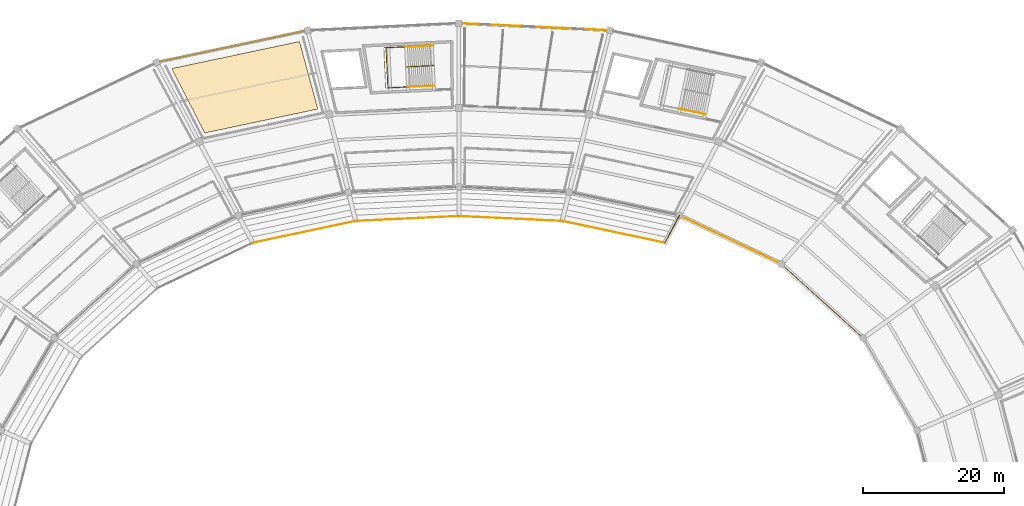
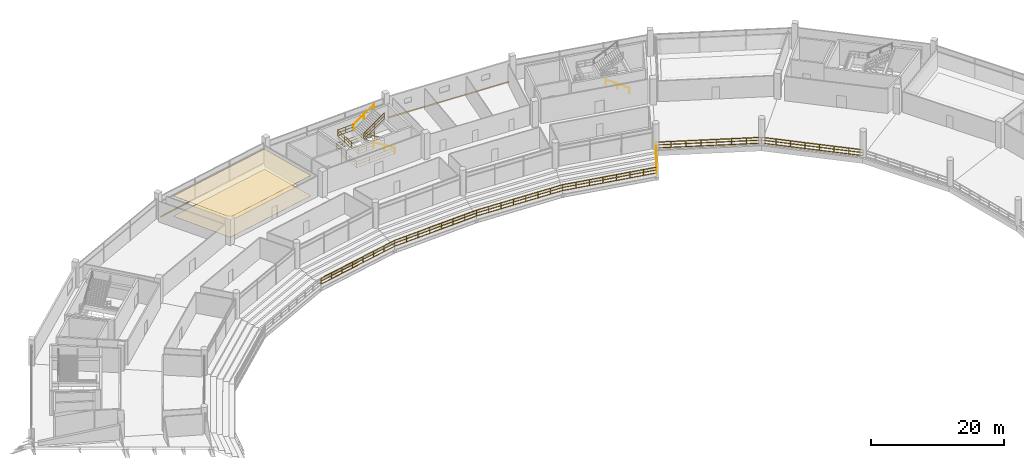
# One storey, part 170 of 171: 13 railings, 4 coverings.
"""IFC4 building model written with IfcOpenShell, lengths in metres."""

from ifc_helpers import new_model, si_unit, direction, frame, origin, origin_2d, place, context, subcontext, project, spatial, polyline, rectangle, outline, extrude, material, layer, layer_set, type_object, element, save


model = new_model("IFC4")

# Units and contexts
model_context = context("Model", 3, precision=1e-05, world=origin(), true_north=direction((0.0, 1.0)))
body_context = subcontext(model_context, "Body", "Model", "MODEL_VIEW")
ifc_project = project(units=[si_unit("LENGTHUNIT", "METRE"), si_unit("AREAUNIT", "SQUARE_METRE"), si_unit("VOLUMEUNIT", "CUBIC_METRE"), si_unit("PLANEANGLEUNIT", "RADIAN"), si_unit("MASSUNIT", "GRAM", prefix="KILO")], contexts=[model_context])

# Site, building, storey
site_placement = place(None, origin())
site = spatial("IfcSite", under=ifc_project, at=site_placement, CompositionType="ELEMENT")
building_placement = place(site_placement, origin())
building = spatial("IfcBuilding", under=site, at=building_placement, Name="Kazemori Nagisa Stadium", CompositionType="ELEMENT")
storey_placement = place(building_placement, frame((0.0, 0.0, 15.639892578125)))
storey = spatial("IfcBuildingStorey", under=building, at=storey_placement, Name="L03", CompositionType="ELEMENT", Elevation=15.639892578125)

# Coverings
ifc_material_1 = material(Name="Mineral-fibre acoustic board", Category="gypsum")
ifc_layer_1 = layer(ifc_material_1, 0.02001953125, Name="Mineral-fibre acoustic board", Category="gypsum")
ifc_layer_set_1 = layer_set([ifc_layer_1], Name="Mineral-fibre acoustic board")
covering_type_1 = type_object("IfcCoveringType", Name="Cov_CEIL", PredefinedType="CEILING", material=ifc_layer_set_1)
covering_1_placement = place(storey_placement, frame((0.0, 0.0, 3.730224609375)))
element("IfcCovering", 1, at=covering_1_placement, inside=storey, type_object=covering_type_1, Name="Acoustic ceiling L03-B09", PredefinedType="CEILING", context=body_context, shape_type="SweptSolid", body=[
    extrude(outline(polyline([(103.01025390625, 175.83251953125), (86.979248046875, 172.44091796875), (82.311279296875, 181.569091796875), (100.419677734375, 185.400146484375), (103.01025390625, 175.83251953125)])), origin(), (0.0, 0.0, 1.0), 0.019775390625),
])
ifc_material_2 = material(Name="Porcelain stoneware tile", Category="masonry")
ifc_layer_2 = layer(ifc_material_2, 0.02490234375, Name="Porcelain stoneware tile", Category="masonry")
ifc_layer_set_2 = layer_set([ifc_layer_2], Name="Porcelain stoneware tile")
covering_type_2 = type_object("IfcCoveringType", Name="Cov_FLOOR", PredefinedType="FLOORING", material=ifc_layer_set_2)
covering_2_placement = place(storey_placement, origin())
element("IfcCovering", 2, at=covering_2_placement, inside=storey, type_object=covering_type_2, Name="Porcelain floor finish L03-B09", PredefinedType="FLOORING", context=body_context, shape_type="SweptSolid", body=[
    extrude(outline(polyline([(103.01025390625, 175.83251953125), (86.979248046875, 172.44091796875), (82.311279296875, 181.569091796875), (100.419677734375, 185.400146484375), (103.01025390625, 175.83251953125)])), origin(), (0.0, 0.0, 1.0), 0.025146484375),
])
ifc_material_3 = material(Name="Anodised aluminium 6063-T5", Category="aluminium")
ifc_layer_3 = layer(ifc_material_3, 0.034912109375, Name="Anodised aluminium 6063-T5", Category="aluminium")
ifc_layer_set_3 = layer_set([ifc_layer_3], Name="Anodised aluminium 6063-T5")
covering_type_3 = type_object("IfcCoveringType", Name="Covering_CLAD", PredefinedType="CLADDING", material=ifc_layer_set_3)
covering_3_placement = place(storey_placement, frame((133.7138671875, 187.493408203125, -0.259765625), z_axis=(0.0, 0.0, 1.0), x_axis=(-0.998884022476, 0.047230388971, 0.0)))
element("IfcCovering", 3, at=covering_3_placement, inside=storey, type_object=covering_type_3, Name="Anodised fascia cladding L03-B07", PredefinedType="CLADDING", context=body_context, shape_type="SweptSolid", body=[
    extrude(rectangle(XDim=20.3515625, YDim=0.0400390625, at=origin_2d()), origin(), (0.0, 0.0, 1.0), 0.260009765625),
])
covering_4_placement = place(storey_placement, frame((90.8837890625, 184.7255859375, -0.259765625), z_axis=(0.0, 0.0, 1.0), x_axis=(-0.978344955407, -0.206981033502, 0.0)))
element("IfcCovering", 4, at=covering_4_placement, inside=storey, type_object=covering_type_3, Name="Anodised fascia cladding L03-B09", PredefinedType="CLADDING", context=body_context, shape_type="SweptSolid", body=[
    extrude(rectangle(XDim=20.750244140625, YDim=0.0400390625, at=origin_2d()), origin(), (0.0, 0.0, 1.0), 0.260009765625),
])

# Railings
ifc_material_4 = material(Name="Laminated safety glass and stainless steel SUS304", Category="steel")
railing_type_1 = type_object("IfcRailingType", Name="Rail_BAL", PredefinedType="BALUSTRADE", material=ifc_material_4)
railing_1_placement = place(storey_placement, frame((180.301513671875, 143.367431640625, 0.0)))
element("IfcRailing", 5, at=railing_1_placement, inside=storey, type_object=railing_type_1, Name="Concourse bowl balustrade L03-B04", PredefinedType="BALUSTRADE", context=body_context, shape_type="SweptSolid", body=[
    extrude(rectangle(XDim=0.050048828125, YDim=0.050048828125, at=origin_2d()), frame((0.0, 0.0, 1.09521484375), z_axis=(-0.741349160152, 0.6711195294, 0.0), x_axis=(-0.6711195294, -0.741349160152, 0.0)), (0.0, 0.0, 1.0), 15.65380859375),
    extrude(rectangle(XDim=0.03759765625, YDim=0.03759765625, at=origin_2d()), frame((0.0, 0.0, 0.58251953125), z_axis=(-0.741349160152, 0.6711195294, 0.0), x_axis=(-0.6711195294, -0.741349160152, 0.0)), (0.0, 0.0, 1.0), 15.65380859375),
    extrude(rectangle(XDim=0.03759765625, YDim=0.03759765625, at=origin_2d()), frame((0.0, 0.0, 0.02490234375), z_axis=(-0.741349160152, 0.6711195294, 0.0), x_axis=(-0.6711195294, -0.741349160152, 0.0)), (0.0, 0.0, 1.0), 15.65380859375),
    extrude(rectangle(XDim=0.044921875, YDim=0.044921875, at=origin_2d()), origin(), (0.0, 0.0, 1.0), 1.070068359375),
    extrude(rectangle(XDim=0.044921875, YDim=0.044921875, at=origin_2d()), frame((-1.657958984375, 1.500732421875, 0.0)), (0.0, 0.0, 1.0), 1.070068359375),
    extrude(rectangle(XDim=0.044921875, YDim=0.044921875, at=origin_2d()), frame((-3.315673828125, 3.001708984375, 0.0)), (0.0, 0.0, 1.0), 1.070068359375),
    extrude(rectangle(XDim=0.044921875, YDim=0.044921875, at=origin_2d()), frame((-4.9736328125, 4.50244140625, 0.0)), (0.0, 0.0, 1.0), 1.070068359375),
    extrude(rectangle(XDim=0.044921875, YDim=0.044921875, at=origin_2d()), frame((-6.63134765625, 6.003173828125, 0.0)), (0.0, 0.0, 1.0), 1.070068359375),
    extrude(rectangle(XDim=0.044921875, YDim=0.044921875, at=origin_2d()), frame((-8.289306640625, 7.50390625, 0.0)), (0.0, 0.0, 1.0), 1.070068359375),
    extrude(rectangle(XDim=0.044921875, YDim=0.044921875, at=origin_2d()), frame((-9.947021484375, 9.0048828125, 0.0)), (0.0, 0.0, 1.0), 1.070068359375),
    extrude(rectangle(XDim=0.044921875, YDim=0.044921875, at=origin_2d()), frame((-11.60498046875, 10.505615234375, 0.0)), (0.0, 0.0, 1.0), 1.070068359375),
])
railing_2_placement = place(storey_placement, frame((168.696533203125, 153.873046875, 0.0)))
element("IfcRailing", 6, at=railing_2_placement, inside=storey, type_object=railing_type_1, Name="Concourse bowl balustrade L03-B05", PredefinedType="BALUSTRADE", context=body_context, shape_type="SweptSolid", body=[
    extrude(rectangle(XDim=0.050048828125, YDim=0.050048828125, at=origin_2d()), frame((0.0, 0.0, 1.09521484375), z_axis=(-0.903211989129, 0.429194714196, 0.0), x_axis=(-0.429194714196, -0.903211989129, 0.0)), (0.0, 0.0, 1.0), 15.997314453125),
    extrude(rectangle(XDim=0.03759765625, YDim=0.03759765625, at=origin_2d()), frame((0.0, 0.0, 0.58251953125), z_axis=(-0.903211989129, 0.429194714196, 0.0), x_axis=(-0.429194714196, -0.903211989129, 0.0)), (0.0, 0.0, 1.0), 15.997314453125),
    extrude(rectangle(XDim=0.03759765625, YDim=0.03759765625, at=origin_2d()), frame((0.0, 0.0, 0.02490234375), z_axis=(-0.903211989129, 0.429194714196, 0.0), x_axis=(-0.429194714196, -0.903211989129, 0.0)), (0.0, 0.0, 1.0), 15.997314453125),
    extrude(rectangle(XDim=0.044921875, YDim=0.044921875, at=origin_2d()), origin(), (0.0, 0.0, 1.0), 1.070068359375),
    extrude(rectangle(XDim=0.044921875, YDim=0.044921875, at=origin_2d()), frame((-2.064208984375, 0.98095703125, 0.0)), (0.0, 0.0, 1.0), 1.070068359375),
    extrude(rectangle(XDim=0.044921875, YDim=0.044921875, at=origin_2d()), frame((-4.128173828125, 1.961669921875, 0.0)), (0.0, 0.0, 1.0), 1.070068359375),
    extrude(rectangle(XDim=0.044921875, YDim=0.044921875, at=origin_2d()), frame((-6.1923828125, 2.942626953125, 0.0)), (0.0, 0.0, 1.0), 1.070068359375),
    extrude(rectangle(XDim=0.044921875, YDim=0.044921875, at=origin_2d()), frame((-8.256591796875, 3.92333984375, 0.0)), (0.0, 0.0, 1.0), 1.070068359375),
    extrude(rectangle(XDim=0.044921875, YDim=0.044921875, at=origin_2d()), frame((-10.32080078125, 4.904296875, 0.0)), (0.0, 0.0, 1.0), 1.070068359375),
    extrude(rectangle(XDim=0.044921875, YDim=0.044921875, at=origin_2d()), frame((-12.384765625, 5.885009765625, 0.0)), (0.0, 0.0, 1.0), 1.070068359375),
    extrude(rectangle(XDim=0.044921875, YDim=0.044921875, at=origin_2d()), frame((-14.448974609375, 6.865966796875, 0.0)), (0.0, 0.0, 1.0), 1.070068359375),
])
railing_3_placement = place(storey_placement, frame((152.19287109375, 156.876708984375, -1.519775390625)))
element("IfcRailing", 7, at=railing_3_placement, inside=storey, type_object=railing_type_1, Name="Club tier front balustrade B06", PredefinedType="BALUSTRADE", context=body_context, shape_type="SweptSolid", body=[
    extrude(rectangle(XDim=0.050048828125, YDim=0.050048828125, at=origin_2d()), frame((0.0, 0.0, 1.09521484375), z_axis=(-0.978347151304, 0.206970653802, 0.0), x_axis=(-0.206970653802, -0.978347151304, 0.0)), (0.0, 0.0, 1.0), 14.90185546875),
    extrude(rectangle(XDim=0.03759765625, YDim=0.03759765625, at=origin_2d()), frame((0.0, 0.0, 0.58251953125), z_axis=(-0.978347151304, 0.206970653802, 0.0), x_axis=(-0.206970653802, -0.978347151304, 0.0)), (0.0, 0.0, 1.0), 14.90185546875),
    extrude(rectangle(XDim=0.03759765625, YDim=0.03759765625, at=origin_2d()), frame((0.0, 0.0, 0.02490234375), z_axis=(-0.978347151304, 0.206970653802, 0.0), x_axis=(-0.206970653802, -0.978347151304, 0.0)), (0.0, 0.0, 1.0), 14.90185546875),
    extrude(rectangle(XDim=0.044921875, YDim=0.044921875, at=origin_2d()), origin(), (0.0, 0.0, 1.0), 1.070068359375),
    extrude(rectangle(XDim=0.044921875, YDim=0.044921875, at=origin_2d()), frame((-2.082763671875, 0.440673828125, 0.0)), (0.0, 0.0, 1.0), 1.070068359375),
    extrude(rectangle(XDim=0.044921875, YDim=0.044921875, at=origin_2d()), frame((-4.16552734375, 0.881103515625, 0.0)), (0.0, 0.0, 1.0), 1.070068359375),
    extrude(rectangle(XDim=0.044921875, YDim=0.044921875, at=origin_2d()), frame((-6.248291015625, 1.32177734375, 0.0)), (0.0, 0.0, 1.0), 1.070068359375),
    extrude(rectangle(XDim=0.044921875, YDim=0.044921875, at=origin_2d()), frame((-8.330810546875, 1.762451171875, 0.0)), (0.0, 0.0, 1.0), 1.070068359375),
    extrude(rectangle(XDim=0.044921875, YDim=0.044921875, at=origin_2d()), frame((-10.41357421875, 2.203125, 0.0)), (0.0, 0.0, 1.0), 1.070068359375),
    extrude(rectangle(XDim=0.044921875, YDim=0.044921875, at=origin_2d()), frame((-12.496337890625, 2.6435546875, 0.0)), (0.0, 0.0, 1.0), 1.070068359375),
    extrude(rectangle(XDim=0.044921875, YDim=0.044921875, at=origin_2d()), frame((-14.5791015625, 3.084228515625, 0.0)), (0.0, 0.0, 1.0), 1.070068359375),
])
railing_4_placement = place(storey_placement, frame((137.61376953125, 159.9609375, -1.519775390625)))
element("IfcRailing", 8, at=railing_4_placement, inside=storey, type_object=railing_type_1, Name="Club tier front balustrade B07", PredefinedType="BALUSTRADE", context=body_context, shape_type="SweptSolid", body=[
    extrude(rectangle(XDim=0.050048828125, YDim=0.050048828125, at=origin_2d()), frame((0.0, 0.0, 1.09521484375), z_axis=(-0.99888345174, 0.047242458015, 0.0), x_axis=(-0.047242458015, -0.99888345174, 0.0)), (0.0, 0.0, 1.0), 14.630126953125),
    extrude(rectangle(XDim=0.03759765625, YDim=0.03759765625, at=origin_2d()), frame((0.0, 0.0, 0.58251953125), z_axis=(-0.99888345174, 0.047242458015, 0.0), x_axis=(-0.047242458015, -0.99888345174, 0.0)), (0.0, 0.0, 1.0), 14.630126953125),
    extrude(rectangle(XDim=0.03759765625, YDim=0.03759765625, at=origin_2d()), frame((0.0, 0.0, 0.02490234375), z_axis=(-0.99888345174, 0.047242458015, 0.0), x_axis=(-0.047242458015, -0.99888345174, 0.0)), (0.0, 0.0, 1.0), 14.630126953125),
    extrude(rectangle(XDim=0.044921875, YDim=0.044921875, at=origin_2d()), origin(), (0.0, 0.0, 1.0), 1.070068359375),
    extrude(rectangle(XDim=0.044921875, YDim=0.044921875, at=origin_2d()), frame((-2.087646484375, 0.0986328125, 0.0)), (0.0, 0.0, 1.0), 1.070068359375),
    extrude(rectangle(XDim=0.044921875, YDim=0.044921875, at=origin_2d()), frame((-4.17529296875, 0.197509765625, 0.0)), (0.0, 0.0, 1.0), 1.070068359375),
    extrude(rectangle(XDim=0.044921875, YDim=0.044921875, at=origin_2d()), frame((-6.262939453125, 0.296142578125, 0.0)), (0.0, 0.0, 1.0), 1.070068359375),
    extrude(rectangle(XDim=0.044921875, YDim=0.044921875, at=origin_2d()), frame((-8.350830078125, 0.39501953125, 0.0)), (0.0, 0.0, 1.0), 1.070068359375),
    extrude(rectangle(XDim=0.044921875, YDim=0.044921875, at=origin_2d()), frame((-10.4384765625, 0.49365234375, 0.0)), (0.0, 0.0, 1.0), 1.070068359375),
    extrude(rectangle(XDim=0.044921875, YDim=0.044921875, at=origin_2d()), frame((-12.526123046875, 0.592529296875, 0.0)), (0.0, 0.0, 1.0), 1.070068359375),
    extrude(rectangle(XDim=0.044921875, YDim=0.044921875, at=origin_2d()), frame((-14.61376953125, 0.691162109375, 0.0)), (0.0, 0.0, 1.0), 1.070068359375),
])
railing_5_placement = place(storey_placement, frame((123.0, 160.652099609375, -1.519775390625)))
element("IfcRailing", 9, at=railing_5_placement, inside=storey, type_object=railing_type_1, Name="Club tier front balustrade B08", PredefinedType="BALUSTRADE", context=body_context, shape_type="SweptSolid", body=[
    extrude(rectangle(XDim=0.050048828125, YDim=0.050048828125, at=origin_2d()), frame((0.0, 0.0, 1.09521484375), z_axis=(-0.99888345174, -0.047242458015, 0.0), x_axis=(0.047242458015, -0.99888345174, 0.0)), (0.0, 0.0, 1.0), 14.630126953125),
    extrude(rectangle(XDim=0.03759765625, YDim=0.03759765625, at=origin_2d()), frame((0.0, 0.0, 0.58251953125), z_axis=(-0.99888345174, -0.047242458015, 0.0), x_axis=(0.047242458015, -0.99888345174, 0.0)), (0.0, 0.0, 1.0), 14.630126953125),
    extrude(rectangle(XDim=0.03759765625, YDim=0.03759765625, at=origin_2d()), frame((0.0, 0.0, 0.02490234375), z_axis=(-0.99888345174, -0.047242458015, 0.0), x_axis=(0.047242458015, -0.99888345174, 0.0)), (0.0, 0.0, 1.0), 14.630126953125),
    extrude(rectangle(XDim=0.044921875, YDim=0.044921875, at=origin_2d()), origin(), (0.0, 0.0, 1.0), 1.070068359375),
    extrude(rectangle(XDim=0.044921875, YDim=0.044921875, at=origin_2d()), frame((-2.087646484375, -0.0986328125, 0.0)), (0.0, 0.0, 1.0), 1.070068359375),
    extrude(rectangle(XDim=0.044921875, YDim=0.044921875, at=origin_2d()), frame((-4.17529296875, -0.197509765625, 0.0)), (0.0, 0.0, 1.0), 1.070068359375),
    extrude(rectangle(XDim=0.044921875, YDim=0.044921875, at=origin_2d()), frame((-6.262939453125, -0.296142578125, 0.0)), (0.0, 0.0, 1.0), 1.070068359375),
    extrude(rectangle(XDim=0.044921875, YDim=0.044921875, at=origin_2d()), frame((-8.350830078125, -0.39501953125, 0.0)), (0.0, 0.0, 1.0), 1.070068359375),
    extrude(rectangle(XDim=0.044921875, YDim=0.044921875, at=origin_2d()), frame((-10.4384765625, -0.49365234375, 0.0)), (0.0, 0.0, 1.0), 1.070068359375),
    extrude(rectangle(XDim=0.044921875, YDim=0.044921875, at=origin_2d()), frame((-12.526123046875, -0.592529296875, 0.0)), (0.0, 0.0, 1.0), 1.070068359375),
    extrude(rectangle(XDim=0.044921875, YDim=0.044921875, at=origin_2d()), frame((-14.61376953125, -0.691162109375, 0.0)), (0.0, 0.0, 1.0), 1.070068359375),
])
railing_6_placement = place(storey_placement, frame((108.38623046875, 159.9609375, -1.519775390625)))
element("IfcRailing", 10, at=railing_6_placement, inside=storey, type_object=railing_type_1, Name="Club tier front balustrade B09", PredefinedType="BALUSTRADE", context=body_context, shape_type="SweptSolid", body=[
    extrude(rectangle(XDim=0.050048828125, YDim=0.050048828125, at=origin_2d()), frame((0.0, 0.0, 1.09521484375), z_axis=(-0.978347151304, -0.206970653802, 0.0), x_axis=(0.206970653802, -0.978347151304, 0.0)), (0.0, 0.0, 1.0), 14.90185546875),
    extrude(rectangle(XDim=0.03759765625, YDim=0.03759765625, at=origin_2d()), frame((0.0, 0.0, 0.58251953125), z_axis=(-0.978347151304, -0.206970653802, 0.0), x_axis=(0.206970653802, -0.978347151304, 0.0)), (0.0, 0.0, 1.0), 14.90185546875),
    extrude(rectangle(XDim=0.03759765625, YDim=0.03759765625, at=origin_2d()), frame((0.0, 0.0, 0.02490234375), z_axis=(-0.978347151304, -0.206970653802, 0.0), x_axis=(0.206970653802, -0.978347151304, 0.0)), (0.0, 0.0, 1.0), 14.90185546875),
    extrude(rectangle(XDim=0.044921875, YDim=0.044921875, at=origin_2d()), origin(), (0.0, 0.0, 1.0), 1.070068359375),
    extrude(rectangle(XDim=0.044921875, YDim=0.044921875, at=origin_2d()), frame((-2.082763671875, -0.440673828125, 0.0)), (0.0, 0.0, 1.0), 1.070068359375),
    extrude(rectangle(XDim=0.044921875, YDim=0.044921875, at=origin_2d()), frame((-4.16552734375, -0.881103515625, 0.0)), (0.0, 0.0, 1.0), 1.070068359375),
    extrude(rectangle(XDim=0.044921875, YDim=0.044921875, at=origin_2d()), frame((-6.248291015625, -1.32177734375, 0.0)), (0.0, 0.0, 1.0), 1.070068359375),
    extrude(rectangle(XDim=0.044921875, YDim=0.044921875, at=origin_2d()), frame((-8.330810546875, -1.762451171875, 0.0)), (0.0, 0.0, 1.0), 1.070068359375),
    extrude(rectangle(XDim=0.044921875, YDim=0.044921875, at=origin_2d()), frame((-10.41357421875, -2.203125, 0.0)), (0.0, 0.0, 1.0), 1.070068359375),
    extrude(rectangle(XDim=0.044921875, YDim=0.044921875, at=origin_2d()), frame((-12.496337890625, -2.6435546875, 0.0)), (0.0, 0.0, 1.0), 1.070068359375),
    extrude(rectangle(XDim=0.044921875, YDim=0.044921875, at=origin_2d()), frame((-14.5791015625, -3.084228515625, 0.0)), (0.0, 0.0, 1.0), 1.070068359375),
])
ifc_material_5 = material(Name="Galvanised powder-coated steel", Category="steel")
railing_type_2 = type_object("IfcRailingType", Name="Rail_GUARD", PredefinedType="GUARDRAIL", material=ifc_material_5)
railing_7_placement = place(storey_placement, frame((119.452392578125, 179.138427734375, 0.0)))
element("IfcRailing", 11, at=railing_7_placement, inside=storey, type_object=railing_type_2, Name="Stair well perimeter guard ST05-L03", PredefinedType="GUARDRAIL", context=body_context, shape_type="SweptSolid", body=[
    extrude(rectangle(XDim=0.050048828125, YDim=0.050048828125, at=origin_2d()), frame((0.0, 0.0, 1.09521484375), z_axis=(-0.998884704486, -0.04721596281, 0.0), x_axis=(0.04721596281, -0.998884704486, 0.0)), (0.0, 0.0, 1.0), 6.809814453125),
    extrude(rectangle(XDim=0.03759765625, YDim=0.03759765625, at=origin_2d()), frame((0.0, 0.0, 0.58251953125), z_axis=(-0.998884704486, -0.04721596281, 0.0), x_axis=(0.04721596281, -0.998884704486, 0.0)), (0.0, 0.0, 1.0), 6.809814453125),
    extrude(rectangle(XDim=0.03759765625, YDim=0.03759765625, at=origin_2d()), frame((0.0, 0.0, 0.02490234375), z_axis=(-0.998884704486, -0.04721596281, 0.0), x_axis=(0.04721596281, -0.998884704486, 0.0)), (0.0, 0.0, 1.0), 6.809814453125),
    extrude(rectangle(XDim=0.050048828125, YDim=0.050048828125, at=origin_2d()), frame((-6.80224609375, -0.321533203125, 1.09521484375), z_axis=(-0.047243616775, 0.998883396936, 0.0), x_axis=(-0.998883396936, -0.047243616775, 0.0)), (0.0, 0.0, 1.0), 5.699951171875),
    extrude(rectangle(XDim=0.03759765625, YDim=0.03759765625, at=origin_2d()), frame((-6.80224609375, -0.321533203125, 0.58251953125), z_axis=(-0.047243616775, 0.998883396936, 0.0), x_axis=(-0.998883396936, -0.047243616775, 0.0)), (0.0, 0.0, 1.0), 5.699951171875),
    extrude(rectangle(XDim=0.03759765625, YDim=0.03759765625, at=origin_2d()), frame((-6.80224609375, -0.321533203125, 0.02490234375), z_axis=(-0.047243616775, 0.998883396936, 0.0), x_axis=(-0.998883396936, -0.047243616775, 0.0)), (0.0, 0.0, 1.0), 5.699951171875),
    extrude(rectangle(XDim=0.050048828125, YDim=0.050048828125, at=origin_2d()), frame((-7.071533203125, 5.3720703125, 1.09521484375), z_axis=(0.99888301299, 0.047251733943, 0.0), x_axis=(-0.047251733943, 0.99888301299, 0.0)), (0.0, 0.0, 1.0), 6.809814453125),
    extrude(rectangle(XDim=0.03759765625, YDim=0.03759765625, at=origin_2d()), frame((-7.071533203125, 5.3720703125, 0.58251953125), z_axis=(0.99888301299, 0.047251733943, 0.0), x_axis=(-0.047251733943, 0.99888301299, 0.0)), (0.0, 0.0, 1.0), 6.809814453125),
    extrude(rectangle(XDim=0.03759765625, YDim=0.03759765625, at=origin_2d()), frame((-7.071533203125, 5.3720703125, 0.02490234375), z_axis=(0.99888301299, 0.047251733943, 0.0), x_axis=(-0.047251733943, 0.99888301299, 0.0)), (0.0, 0.0, 1.0), 6.809814453125),
    extrude(rectangle(XDim=0.044921875, YDim=0.044921875, at=origin_2d()), origin(), (0.0, 0.0, 1.0), 1.070068359375),
    extrude(rectangle(XDim=0.044921875, YDim=0.044921875, at=origin_2d()), frame((-2.267333984375, -0.107177734375, 0.0)), (0.0, 0.0, 1.0), 1.070068359375),
    extrude(rectangle(XDim=0.044921875, YDim=0.044921875, at=origin_2d()), frame((-4.534912109375, -0.21435546875, 0.0)), (0.0, 0.0, 1.0), 1.070068359375),
    extrude(rectangle(XDim=0.044921875, YDim=0.044921875, at=origin_2d()), frame((-6.80224609375, -0.321533203125, 0.0)), (0.0, 0.0, 1.0), 1.070068359375),
    extrude(rectangle(XDim=0.044921875, YDim=0.044921875, at=origin_2d()), frame((-6.89208984375, 1.576416015625, 0.0)), (0.0, 0.0, 1.0), 1.070068359375),
    extrude(rectangle(XDim=0.044921875, YDim=0.044921875, at=origin_2d()), frame((-6.981689453125, 3.47412109375, 0.0)), (0.0, 0.0, 1.0), 1.070068359375),
    extrude(rectangle(XDim=0.044921875, YDim=0.044921875, at=origin_2d()), frame((-7.071533203125, 5.3720703125, 0.0)), (0.0, 0.0, 1.0), 1.070068359375),
    extrude(rectangle(XDim=0.044921875, YDim=0.044921875, at=origin_2d()), frame((-4.80419921875, 5.479248046875, 0.0)), (0.0, 0.0, 1.0), 1.070068359375),
    extrude(rectangle(XDim=0.044921875, YDim=0.044921875, at=origin_2d()), frame((-2.53662109375, 5.586669921875, 0.0)), (0.0, 0.0, 1.0), 1.070068359375),
    extrude(rectangle(XDim=0.044921875, YDim=0.044921875, at=origin_2d()), frame((-0.269287109375, 5.69384765625, 0.0)), (0.0, 0.0, 1.0), 1.070068359375),
])
railing_8_placement = place(storey_placement, frame((119.397705078125, 181.9892578125, 0.0)))
element("IfcRailing", 12, at=railing_8_placement, inside=storey, type_object=railing_type_2, Name="Stair central guard ST05-L03", PredefinedType="GUARDRAIL", context=body_context, shape_type="SweptSolid", body=[
    extrude(rectangle(XDim=0.050048828125, YDim=0.050048828125, at=origin_2d()), frame((0.0, 0.0, 1.09521484375), z_axis=(-0.843671071265, -0.039923769369, 0.535373903128), x_axis=(0.04726859146, -0.998882215409, 0.0)), (0.0, 0.0, 1.0), 4.44580078125),
    extrude(rectangle(XDim=0.03759765625, YDim=0.03759765625, at=origin_2d()), frame((0.0, 0.0, 0.58251953125), z_axis=(-0.843671071265, -0.039923769369, 0.535373903128), x_axis=(0.04726859146, -0.998882215409, 0.0)), (0.0, 0.0, 1.0), 4.44580078125),
    extrude(rectangle(XDim=0.03759765625, YDim=0.03759765625, at=origin_2d()), frame((0.0, 0.0, 0.02490234375), z_axis=(-0.843671071265, -0.039923769369, 0.535373903128), x_axis=(0.04726859146, -0.998882215409, 0.0)), (0.0, 0.0, 1.0), 4.44580078125),
    extrude(rectangle(XDim=0.050048828125, YDim=0.050048828125, at=origin_2d()), frame((-3.750732421875, -0.177490234375, 3.47509765625), z_axis=(0.83843100158, 0.039646477928, 0.54356380709), x_axis=(-0.047233734206, 0.998883864297, 0.0)), (0.0, 0.0, 1.0), 4.378173828125),
    extrude(rectangle(XDim=0.03759765625, YDim=0.03759765625, at=origin_2d()), frame((-3.750732421875, -0.177490234375, 2.962646484375), z_axis=(0.83843100158, 0.039646477928, 0.54356380709), x_axis=(-0.047233734206, 0.998883864297, 0.0)), (0.0, 0.0, 1.0), 4.378173828125),
    extrude(rectangle(XDim=0.03759765625, YDim=0.03759765625, at=origin_2d()), frame((-3.750732421875, -0.177490234375, 2.4052734375), z_axis=(0.83843100158, 0.039646477928, 0.54356380709), x_axis=(-0.047233734206, 0.998883864297, 0.0)), (0.0, 0.0, 1.0), 4.378173828125),
    extrude(rectangle(XDim=0.044921875, YDim=0.044921875, at=origin_2d()), origin(), (0.0, 0.0, 1.0), 1.070068359375),
    extrude(rectangle(XDim=0.044921875, YDim=0.044921875, at=origin_2d()), frame((-1.87548828125, -0.0888671875, 1.18994140625)), (0.0, 0.0, 1.0), 1.070068359375),
    extrude(rectangle(XDim=0.044921875, YDim=0.044921875, at=origin_2d()), frame((-3.750732421875, -0.177490234375, 2.380126953125)), (0.0, 0.0, 1.0), 1.070068359375),
    extrude(rectangle(XDim=0.044921875, YDim=0.044921875, at=origin_2d()), frame((-1.915283203125, -0.0908203125, 3.570068359375)), (0.0, 0.0, 1.0), 1.070068359375),
    extrude(rectangle(XDim=0.044921875, YDim=0.044921875, at=origin_2d()), frame((-0.079833984375, -0.00390625, 4.760009765625)), (0.0, 0.0, 1.0), 1.070068359375),
])
railing_9_placement = place(storey_placement, frame((115.781494140625, 178.965087890625, 2.380126953125)))
element("IfcRailing", 13, at=railing_9_placement, inside=storey, type_object=railing_type_2, Name="Stair landing guard ST05-L03", PredefinedType="GUARDRAIL", context=body_context, shape_type="SweptSolid", body=[
    extrude(rectangle(XDim=0.050048828125, YDim=0.050048828125, at=origin_2d()), frame((0.0, 0.0, 1.09521484375), z_axis=(-0.998881278972, -0.047288376157, 0.0), x_axis=(0.047288376157, -0.998881278972, 0.0)), (0.0, 0.0, 1.0), 2.849853515625),
    extrude(rectangle(XDim=0.03759765625, YDim=0.03759765625, at=origin_2d()), frame((0.0, 0.0, 0.58251953125), z_axis=(-0.998881278972, -0.047288376157, 0.0), x_axis=(0.047288376157, -0.998881278972, 0.0)), (0.0, 0.0, 1.0), 2.849853515625),
    extrude(rectangle(XDim=0.03759765625, YDim=0.03759765625, at=origin_2d()), frame((0.0, 0.0, 0.02490234375), z_axis=(-0.998881278972, -0.047288376157, 0.0), x_axis=(0.047288376157, -0.998881278972, 0.0)), (0.0, 0.0, 1.0), 2.849853515625),
    extrude(rectangle(XDim=0.050048828125, YDim=0.050048828125, at=origin_2d()), frame((-2.8466796875, -0.134765625, 1.09521484375), z_axis=(-0.047243616775, 0.998883396936, 0.0), x_axis=(-0.998883396936, -0.047243616775, 0.0)), (0.0, 0.0, 1.0), 5.699951171875),
    extrude(rectangle(XDim=0.03759765625, YDim=0.03759765625, at=origin_2d()), frame((-2.8466796875, -0.134765625, 0.58251953125), z_axis=(-0.047243616775, 0.998883396936, 0.0), x_axis=(-0.998883396936, -0.047243616775, 0.0)), (0.0, 0.0, 1.0), 5.699951171875),
    extrude(rectangle(XDim=0.03759765625, YDim=0.03759765625, at=origin_2d()), frame((-2.8466796875, -0.134765625, 0.02490234375), z_axis=(-0.047243616775, 0.998883396936, 0.0), x_axis=(-0.998883396936, -0.047243616775, 0.0)), (0.0, 0.0, 1.0), 5.699951171875),
    extrude(rectangle(XDim=0.050048828125, YDim=0.050048828125, at=origin_2d()), frame((-3.115966796875, 5.558837890625, 1.09521484375), z_axis=(0.998881278972, 0.047288376157, 0.0), x_axis=(-0.047288376157, 0.998881278972, 0.0)), (0.0, 0.0, 1.0), 2.849853515625),
    extrude(rectangle(XDim=0.03759765625, YDim=0.03759765625, at=origin_2d()), frame((-3.115966796875, 5.558837890625, 0.58251953125), z_axis=(0.998881278972, 0.047288376157, 0.0), x_axis=(-0.047288376157, 0.998881278972, 0.0)), (0.0, 0.0, 1.0), 2.849853515625),
    extrude(rectangle(XDim=0.03759765625, YDim=0.03759765625, at=origin_2d()), frame((-3.115966796875, 5.558837890625, 0.02490234375), z_axis=(0.998881278972, 0.047288376157, 0.0), x_axis=(-0.047288376157, 0.998881278972, 0.0)), (0.0, 0.0, 1.0), 2.849853515625),
    extrude(rectangle(XDim=0.044921875, YDim=0.044921875, at=origin_2d()), origin(), (0.0, 0.0, 1.0), 1.070068359375),
    extrude(rectangle(XDim=0.044921875, YDim=0.044921875, at=origin_2d()), frame((-1.42333984375, -0.0673828125, 0.0)), (0.0, 0.0, 1.0), 1.070068359375),
    extrude(rectangle(XDim=0.044921875, YDim=0.044921875, at=origin_2d()), frame((-2.8466796875, -0.134765625, 0.0)), (0.0, 0.0, 1.0), 1.070068359375),
    extrude(rectangle(XDim=0.044921875, YDim=0.044921875, at=origin_2d()), frame((-2.9365234375, 1.76318359375, 0.0)), (0.0, 0.0, 1.0), 1.070068359375),
    extrude(rectangle(XDim=0.044921875, YDim=0.044921875, at=origin_2d()), frame((-3.026123046875, 3.660888671875, 0.0)), (0.0, 0.0, 1.0), 1.070068359375),
    extrude(rectangle(XDim=0.044921875, YDim=0.044921875, at=origin_2d()), frame((-3.115966796875, 5.558837890625, 0.0)), (0.0, 0.0, 1.0), 1.070068359375),
    extrude(rectangle(XDim=0.044921875, YDim=0.044921875, at=origin_2d()), frame((-1.692626953125, 5.626220703125, 0.0)), (0.0, 0.0, 1.0), 1.070068359375),
    extrude(rectangle(XDim=0.044921875, YDim=0.044921875, at=origin_2d()), frame((-0.269287109375, 5.693603515625, 0.0)), (0.0, 0.0, 1.0), 1.070068359375),
])
railing_10_placement = place(storey_placement, frame((152.19287109375, 156.876708984375, -1.519775390625)))
element("IfcRailing", 14, at=railing_10_placement, inside=storey, type_object=railing_type_2, Name="Club tier end guard B06L", PredefinedType="GUARDRAIL", context=body_context, shape_type="SweptSolid", body=[
    extrude(rectangle(XDim=0.050048828125, YDim=0.050048828125, at=origin_2d()), frame((0.0, 0.0, 1.09521484375), z_axis=(0.443653301321, 0.833958558328, 0.328153731074), x_axis=(-0.882846788925, 0.469661098331, 0.0)), (0.0, 0.0, 1.0), 4.63134765625),
    extrude(rectangle(XDim=0.03759765625, YDim=0.03759765625, at=origin_2d()), frame((0.0, 0.0, 0.58251953125), z_axis=(0.443653301321, 0.833958558328, 0.328153731074), x_axis=(-0.882846788925, 0.469661098331, 0.0)), (0.0, 0.0, 1.0), 4.63134765625),
    extrude(rectangle(XDim=0.03759765625, YDim=0.03759765625, at=origin_2d()), frame((0.0, 0.0, 0.02490234375), z_axis=(0.443653301321, 0.833958558328, 0.328153731074), x_axis=(-0.882846788925, 0.469661098331, 0.0)), (0.0, 0.0, 1.0), 4.63134765625),
    extrude(rectangle(XDim=0.044921875, YDim=0.044921875, at=origin_2d()), origin(), (0.0, 0.0, 1.0), 1.070068359375),
    extrude(rectangle(XDim=0.044921875, YDim=0.044921875, at=origin_2d()), frame((1.02734375, 1.93115234375, 0.759765625)), (0.0, 0.0, 1.0), 1.070068359375),
    extrude(rectangle(XDim=0.044921875, YDim=0.044921875, at=origin_2d()), frame((2.0546875, 3.8623046875, 1.519775390625)), (0.0, 0.0, 1.0), 1.070068359375),
])
ifc_material_6 = material(Name="Stainless steel SUS304", Category="steel")
railing_type_3 = type_object("IfcRailingType", Name="Rail_HAND", PredefinedType="HANDRAIL", material=ifc_material_6)
railing_11_placement = place(storey_placement, frame((157.95703125, 175.070068359375, 0.170166015625)))
element("IfcRailing", 15, at=railing_11_placement, inside=storey, type_object=railing_type_3, Name="Stair handrail ST11-L03-F1", PredefinedType="HANDRAIL", context=body_context, shape_type="SweptSolid", body=[
    extrude(rectangle(XDim=0.050048828125, YDim=0.050048828125, at=origin_2d()), frame((0.0, 0.0, 0.875), z_axis=(-0.826350204232, 0.174803794781, 0.535340053888), x_axis=(-0.206957394223, -0.978349956292, 0.0)), (0.0, 0.0, 1.0), 4.445556640625),
    extrude(rectangle(XDim=0.044921875, YDim=0.044921875, at=origin_2d()), origin(), (0.0, 0.0, 1.0), 0.849853515625),
    extrude(rectangle(XDim=0.044921875, YDim=0.044921875, at=origin_2d()), frame((-1.8369140625, 0.388671875, 1.18994140625)), (0.0, 0.0, 1.0), 0.849853515625),
    extrude(rectangle(XDim=0.044921875, YDim=0.044921875, at=origin_2d()), frame((-3.673583984375, 0.777099609375, 2.3798828125)), (0.0, 0.0, 1.0), 0.849853515625),
])
railing_12_placement = place(storey_placement, frame((119.5322265625, 179.142333984375, 0.170166015625)))
element("IfcRailing", 16, at=railing_12_placement, inside=storey, type_object=railing_type_3, Name="Stair handrail ST05-L03-F1", PredefinedType="HANDRAIL", context=body_context, shape_type="SweptSolid", body=[
    extrude(rectangle(XDim=0.050048828125, YDim=0.050048828125, at=origin_2d()), frame((0.0, 0.0, 0.875), z_axis=(-0.843697724014, -0.039870113105, 0.535335898828), x_axis=(0.047203717739, -0.998885283219, 0.0)), (0.0, 0.0, 1.0), 4.445556640625),
    extrude(rectangle(XDim=0.044921875, YDim=0.044921875, at=origin_2d()), origin(), (0.0, 0.0, 1.0), 0.849853515625),
    extrude(rectangle(XDim=0.044921875, YDim=0.044921875, at=origin_2d()), frame((-1.87548828125, -0.088623046875, 1.18994140625)), (0.0, 0.0, 1.0), 0.849853515625),
    extrude(rectangle(XDim=0.044921875, YDim=0.044921875, at=origin_2d()), frame((-3.750732421875, -0.17724609375, 2.3798828125)), (0.0, 0.0, 1.0), 0.849853515625),
])
railing_13_placement = place(storey_placement, frame((115.51220703125, 184.65869140625, 2.550048828125)))
element("IfcRailing", 17, at=railing_13_placement, inside=storey, type_object=railing_type_3, Name="Stair handrail ST05-L03-F2", PredefinedType="HANDRAIL", context=body_context, shape_type="SweptSolid", body=[
    extrude(rectangle(XDim=0.050048828125, YDim=0.050048828125, at=origin_2d()), frame((0.0, 0.0, 0.875), z_axis=(0.838405588611, 0.039645276237, 0.543603091472), x_axis=(-0.047233734206, 0.998883864297, 0.0)), (0.0, 0.0, 1.0), 4.37841796875),
    extrude(rectangle(XDim=0.044921875, YDim=0.044921875, at=origin_2d()), origin(), (0.0, 0.0, 1.0), 0.849853515625),
    extrude(rectangle(XDim=0.044921875, YDim=0.044921875, at=origin_2d()), frame((1.83544921875, 0.0869140625, 1.18994140625)), (0.0, 0.0, 1.0), 0.849853515625),
    extrude(rectangle(XDim=0.044921875, YDim=0.044921875, at=origin_2d()), frame((3.6708984375, 0.173583984375, 2.380126953125)), (0.0, 0.0, 1.0), 0.849853515625),
])

save(model, "model.ifc")
